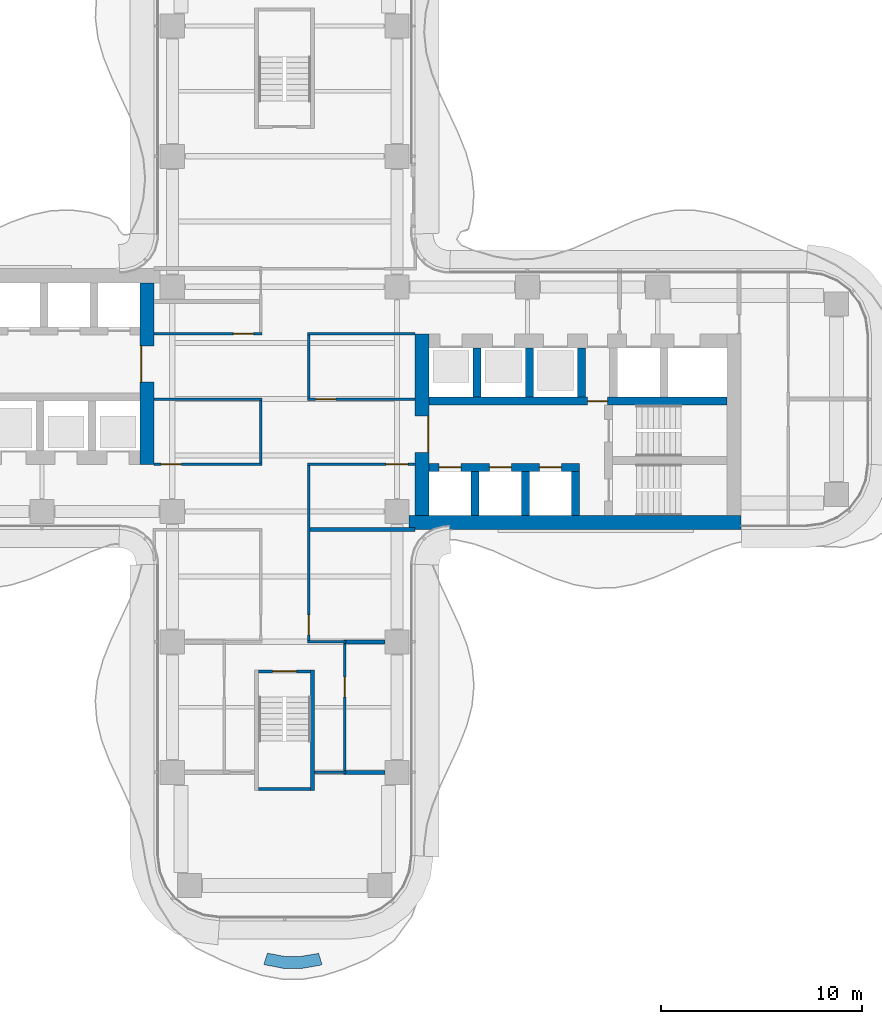
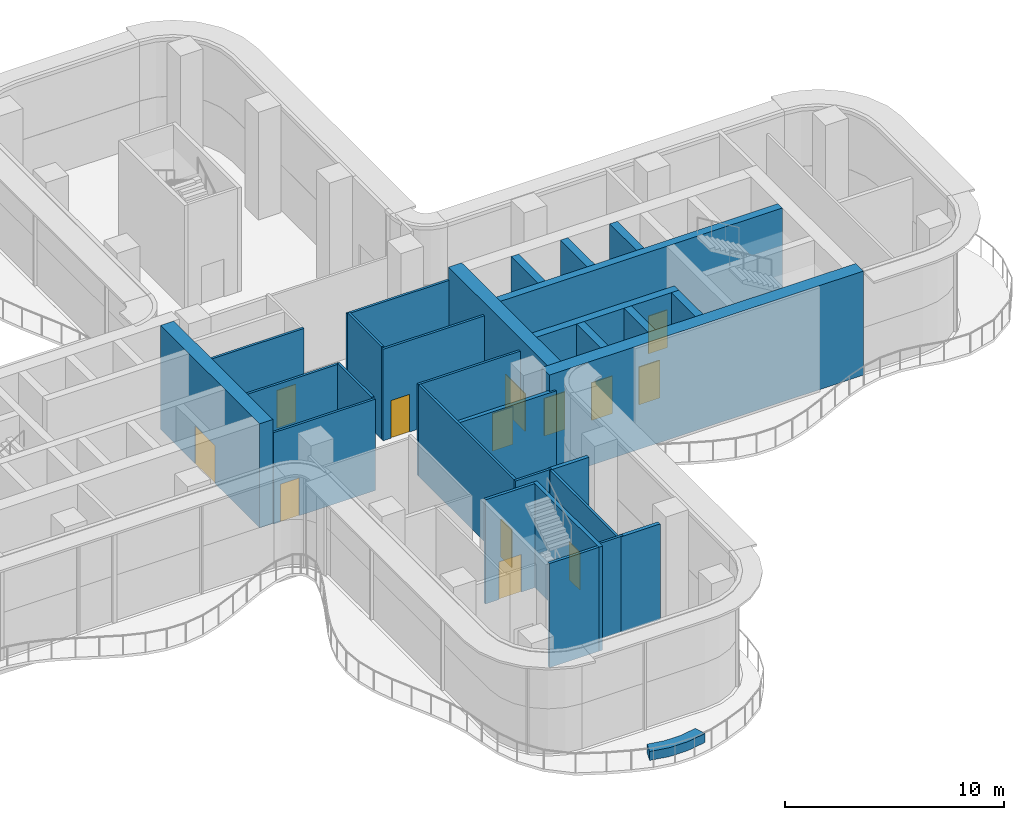
# One storey, part 13 of 19: 30 walls, 13 doors, 13 openings.
"""IFC4 building model written with IfcOpenShell, lengths in metres."""

from ifc_helpers import new_model, si_unit, direction, frame, frame_2d, origin, place, context, subcontext, project, spatial, polyline, rectangle, outline, extrude, source, transform, mapped, material, layer, layer_set, type_object, element, fill, save


model = new_model("IFC4")

# Units and contexts
model_context = context("Model", 3, precision=1e-05, world=origin(), true_north=direction((0.0, 1.0)))
body_context = subcontext(model_context, "Body", "Model", "MODEL_VIEW")
ifc_project = project(units=[si_unit("LENGTHUNIT", "METRE"), si_unit("AREAUNIT", "SQUARE_METRE"), si_unit("VOLUMEUNIT", "CUBIC_METRE"), si_unit("PLANEANGLEUNIT", "RADIAN"), si_unit("MASSUNIT", "GRAM", prefix="KILO")], contexts=[model_context])

# Site, building, storey
site_placement = place(None, origin())
site = spatial("IfcSite", under=ifc_project, at=site_placement, CompositionType="ELEMENT")
building_placement = place(site_placement, origin())
building = spatial("IfcBuilding", under=site, at=building_placement, Name="Trellis Farm Tower", CompositionType="ELEMENT")
storey_placement = place(building_placement, frame((0.0, 0.0, 156.0)))
storey = spatial("IfcBuildingStorey", under=building, at=storey_placement, Name="L33", CompositionType="ELEMENT", Elevation=156.0)

# Wall
ifc_material_1 = material(Name="Lightweight blockwork, plastered", Category="masonry")
ifc_layer_1 = layer(ifc_material_1, 0.199951171875)
ifc_layer_set_1 = layer_set([ifc_layer_1], Name="BLOCK WALL 200 EI 120")
wall_type_1 = type_object("IfcWallType", Name="BLOCK WALL 200 EI 120", PredefinedType="PARTITIONING", material=ifc_layer_set_1)
wall_1_placement = place(storey_placement, frame((1.262451171875, -6.5, 0.0), z_axis=(0.0, 0.0, 1.0), x_axis=(1.0, 0.0, 0.0)))
element("IfcWall", 1, at=wall_1_placement, inside=storey, type_object=wall_type_1, Name="Partition PW3", PredefinedType="PARTITIONING", context=body_context, shape_type="SweptSolid", body=[
    extrude(rectangle(XDim=5.237548828125, YDim=0.199951171875, at=frame_2d((2.61865234375, 0.0))), origin(), (0.0, 0.0, 1.0), 4.8798828125),
])

# Wall, opening, door
ifc_material_2 = material(Name="Plasterboard on steel studs, mineral wool", Category="steel")
ifc_layer_2 = layer(ifc_material_2, 0.125)
ifc_layer_set_2 = layer_set([ifc_layer_2], Name="PARTITION 125 STUD EI 60")
wall_type_2 = type_object("IfcWallType", Name="PARTITION 125 STUD EI 60", PredefinedType="PARTITIONING", material=ifc_layer_set_2)
wall_2_placement = place(storey_placement, frame((1.199951171875, -3.3125, 0.0), z_axis=(0.0, 0.0, 1.0), x_axis=(0.0, -1.0, 0.0)))
wall_2 = element("IfcWall", 2, at=wall_2_placement, inside=storey, type_object=wall_type_2, Name="Partition PW1", PredefinedType="PARTITIONING", context=body_context, shape_type="SweptSolid", body=[
    extrude(rectangle(XDim=8.72509765625, YDim=0.125, at=frame_2d((4.362548828125, 0.0))), origin(), (0.0, 0.0, 1.0), 5.0966796875),
])
shared_shape_1 = source(origin(), body_context, "Body", "SweptSolid", [
    extrude(rectangle(XDim=1.0, YDim=2.10009765625, at=frame_2d((0.5, 1.050048828125))), frame((0.0, 0.072509765625, 0.0), z_axis=(0.0, -1.0, 0.0), x_axis=(1.0, 0.0, 0.0)), (0.0, 0.0, 1.0), 0.14501953125),
])
opening_1_placement = place(wall_2_placement, frame((7.4375, 0.0, 0.0)))
opening_1 = element("IfcOpeningElement", 3, at=opening_1_placement, cuts=wall_2, Name="Opening D305", PredefinedType="OPENING", context=body_context, shape_type="MappedRepresentation", body=[
    mapped(shared_shape_1, transform((0.0, 0.0, 0.0))),
])
ifc_material_3 = material(Name="Fire-rated timber door leaf in a hollow metal frame", Category="wood")
door_type_1 = type_object("IfcDoorType", Name="DOOR 1000x2100 FD60", OperationType="NOTDEFINED", PredefinedType="DOOR", material=ifc_material_3)
shared_shape_2 = source(origin(), body_context, "Body", "SweptSolid", [
    extrude(rectangle(XDim=1.0, YDim=2.10009765625, at=frame_2d((0.5, 1.050048828125))), frame((0.0, 0.02490234375, 0.0), z_axis=(0.0, -1.0, 0.0), x_axis=(1.0, 0.0, 0.0)), (0.0, 0.0, 1.0), 0.050048828125),
])
door_1_placement = place(opening_1_placement, origin())
door_1 = element("IfcDoor", 4, at=door_1_placement, inside=storey, type_object=door_type_1, Name="Door D305", OperationType="SINGLE_SWING_RIGHT", OverallHeight=2.10009765625, OverallWidth=1.0, PredefinedType="DOOR", context=body_context, shape_type="MappedRepresentation", body=[
    mapped(shared_shape_2, transform((0.0, 0.0, 0.0))),
])
fill(opening_1, door_1)

# Wall
ifc_material_4 = material(Name="Sandstone faced masonry planter", Category="masonry")
ifc_layer_3 = layer(ifc_material_4, 0.60009765625)
ifc_layer_set_3 = layer_set([ifc_layer_3], Name="PLANTER BED 600")
wall_type_3 = type_object("IfcWallType", Name="PLANTER BED 600", PredefinedType="USERDEFINED", material=ifc_layer_set_3)
wall_3_placement = place(storey_placement, origin())
element("IfcWall", 5, at=wall_3_placement, inside=storey, type_object=wall_type_3, Name="PLANTER bed", ObjectType="PLANTER", PredefinedType="USERDEFINED", context=body_context, shape_type="SweptSolid", body=[
    extrude(outline(polyline([(0.839111328125, -28.379150390625), (-0.090576171875, -28.369384765625), (-1.0400390625, -28.184326171875), (-0.848388671875, -27.61572265625), (-0.03125, -27.77001953125), (0.791748046875, -27.77880859375), (1.6025390625, -27.641357421875), (1.686279296875, -27.614501953125), (1.8701171875, -28.185546875), (1.745361328125, -28.225830078125), (0.839111328125, -28.379150390625)])), origin(), (0.0, 0.0, 1.0), 0.5),
])

# Wall, opening, door
ifc_material_5 = material(Name="Concrete C70/85", Category="concrete")
ifc_layer_4 = layer(ifc_material_5, 0.699951171875)
ifc_layer_set_4 = layer_set([ifc_layer_4], Name="CORE OUTER WALL 700 CONCRETE C70/85")
wall_type_4 = type_object("IfcWallType", Name="CORE OUTER WALL 700 CONCRETE C70/85", PredefinedType="SHEAR", material=ifc_layer_set_4)
shared_shape_3 = source(origin(), body_context, "Body", "SweptSolid", [
    extrude(rectangle(XDim=9.050048828125, YDim=0.699951171875, at=frame_2d((4.52490234375, 0.0))), origin(), (0.0, 0.0, 1.0), 5.800048828125),
])
wall_4_placement = place(storey_placement, frame((6.85009765625, -5.800048828125, 0.0), z_axis=(0.0, 0.0, 1.0), x_axis=(0.0, 1.0, 0.0)))
wall_4 = element("IfcWall", 6, at=wall_4_placement, inside=storey, type_object=wall_type_4, Name="Core wall", PredefinedType="SHEAR", context=body_context, shape_type="MappedRepresentation", body=[
    mapped(shared_shape_3, transform((0.0, 0.0, 0.0))),
])
shared_shape_4 = source(origin(), body_context, "Body", "SweptSolid", [
    extrude(rectangle(XDim=1.800048828125, YDim=2.10009765625, at=frame_2d((0.89990234375, 1.050048828125))), frame((0.0, 0.360107421875, 0.0), z_axis=(0.0, -1.0, 0.0), x_axis=(1.0, 0.0, 0.0)), (0.0, 0.0, 1.0), 0.72021484375),
])
opening_2_placement = place(wall_4_placement, frame((3.14990234375, 0.0, 0.0)))
opening_2 = element("IfcOpeningElement", 7, at=opening_2_placement, cuts=wall_4, Name="Opening DC1", PredefinedType="OPENING", context=body_context, shape_type="MappedRepresentation", body=[
    mapped(shared_shape_4, transform((0.0, 0.0, 0.0))),
])
ifc_material_6 = material(Name="Steel", Category="steel")
door_type_2 = type_object("IfcDoorType", Name="CORE FIRE DOOR DOUBLE 1800 X 2100", OperationType="DOUBLE_DOOR_SINGLE_SWING", PredefinedType="DOOR", material=ifc_material_6)
shared_shape_5 = source(origin(), body_context, "Body", "SweptSolid", [
    extrude(rectangle(XDim=1.800048828125, YDim=2.10009765625, at=frame_2d((0.89990234375, 1.050048828125))), frame((0.0, -0.27490234375, 0.0), z_axis=(0.0, -1.0, 0.0), x_axis=(1.0, 0.0, 0.0)), (0.0, 0.0, 1.0), 0.050048828125),
])
door_2_placement = place(opening_2_placement, origin())
door_2 = element("IfcDoor", 8, at=door_2_placement, inside=storey, type_object=door_type_2, Name="Core door", OperationType="DOUBLE_DOOR_SINGLE_SWING", OverallHeight=2.10009765625, OverallWidth=1.800048828125, PredefinedType="DOOR", context=body_context, shape_type="MappedRepresentation", body=[
    mapped(shared_shape_5, transform((0.0, 0.0, 0.0))),
])
fill(opening_2, door_2)

wall_5_placement = place(storey_placement, frame((-6.85009765625, 5.800048828125, 0.0), z_axis=(0.0, 0.0, 1.0), x_axis=(0.0, -1.0, 0.0)))
wall_5 = element("IfcWall", 9, at=wall_5_placement, inside=storey, type_object=wall_type_4, Name="Core wall", PredefinedType="SHEAR", context=body_context, shape_type="MappedRepresentation", body=[
    mapped(shared_shape_3, transform((0.0, 0.0, 0.0))),
])
opening_3_placement = place(wall_5_placement, frame((3.14990234375, 0.0, 0.0)))
opening_3 = element("IfcOpeningElement", 10, at=opening_3_placement, cuts=wall_5, Name="Opening DC87", PredefinedType="OPENING", context=body_context, shape_type="MappedRepresentation", body=[
    mapped(shared_shape_4, transform((0.0, 0.0, 0.0))),
])
door_3_placement = place(opening_3_placement, origin())
door_3 = element("IfcDoor", 11, at=door_3_placement, inside=storey, type_object=door_type_2, Name="Core door", OperationType="DOUBLE_DOOR_SINGLE_SWING", OverallHeight=2.10009765625, OverallWidth=1.800048828125, PredefinedType="DOOR", context=body_context, shape_type="MappedRepresentation", body=[
    mapped(shared_shape_5, transform((0.0, 0.0, 0.0))),
])
fill(opening_3, door_3)

# Walls
ifc_layer_5 = layer(ifc_material_5, 0.39990234375)
ifc_layer_set_5 = layer_set([ifc_layer_5], Name="CORE INNER WALL 400 CONCRETE C70/85")
wall_type_5 = type_object("IfcWallType", Name="CORE INNER WALL 400 CONCRETE C70/85", PredefinedType="SHEAR", material=ifc_layer_set_5)
shared_shape_6 = source(origin(), body_context, "Body", "SweptSolid", [
    extrude(rectangle(XDim=2.199951171875, YDim=0.39990234375, at=frame_2d((1.10009765625, 0.0))), origin(), (0.0, 0.0, 1.0), 5.800048828125),
])
for number, where, z_axis, x_axis, name in (
    (12, (9.5, -5.800048828125, 0.0), (0.0, 0.0, 1.0), (0.0, 1.0, 0.0), "Core wall"),
    (13, (12.0, -5.800048828125, 0.0), (0.0, 0.0, 1.0), (0.0, 1.0, 0.0), "Core wall"),
    (14, (14.5, -5.800048828125, 0.0), (0.0, 0.0, 1.0), (0.0, 1.0, 0.0), "Core wall"),
):
    element("IfcWall", number, at=place(storey_placement, frame(where, z_axis=z_axis, x_axis=x_axis)), inside=storey, type_object=wall_type_5, Name=name, PredefinedType="SHEAR", context=body_context, shape_type="MappedRepresentation", body=[
        mapped(shared_shape_6, transform((0.0, 0.0, 0.0))),
    ])
shared_shape_7 = source(origin(), body_context, "Body", "SweptSolid", [
    extrude(rectangle(XDim=2.449951171875, YDim=0.39990234375, at=frame_2d((1.22509765625, 0.0))), origin(), (0.0, 0.0, 1.0), 5.800048828125),
])
for number, where, z_axis, x_axis, name in (
    (15, (9.60009765625, 0.10009765625, 0.0), (0.0, 0.0, 1.0), (0.0, 1.0, 0.0), "Core wall"),
    (16, (12.199951171875, 0.10009765625, 0.0), (0.0, 0.0, 1.0), (0.0, 1.0, 0.0), "Core wall"),
    (17, (14.800048828125, 0.10009765625, 0.0), (0.0, 0.0, 1.0), (0.0, 1.0, 0.0), "Core wall"),
):
    element("IfcWall", number, at=place(storey_placement, frame(where, z_axis=z_axis, x_axis=x_axis)), inside=storey, type_object=wall_type_5, Name=name, PredefinedType="SHEAR", context=body_context, shape_type="MappedRepresentation", body=[
        mapped(shared_shape_7, transform((0.0, 0.0, 0.0))),
    ])
shared_shape_8 = source(origin(), body_context, "Body", "SweptSolid", [
    extrude(rectangle(XDim=16.550048828125, YDim=0.699951171875, at=frame_2d((8.27490234375, 0.0))), origin(), (0.0, 0.0, 1.0), 5.800048828125),
])
wall_6_placement = place(storey_placement, frame((6.199951171875, -6.14990234375, 0.0), z_axis=(0.0, 0.0, 1.0), x_axis=(1.0, 0.0, 0.0)))
element("IfcWall", 18, at=wall_6_placement, inside=storey, type_object=wall_type_4, Name="Core wall", PredefinedType="SHEAR", context=body_context, shape_type="MappedRepresentation", body=[
    mapped(shared_shape_8, transform((0.0, 0.0, 0.0))),
])

# Wall, openings, doors
shared_shape_9 = source(origin(), body_context, "Body", "SweptSolid", [
    extrude(rectangle(XDim=7.5, YDim=0.39990234375, at=frame_2d((3.75, 0.0))), origin(), (0.0, 0.0, 1.0), 5.800048828125),
])
wall_7_placement = place(storey_placement, frame((7.199951171875, -3.39990234375, 0.0), z_axis=(0.0, 0.0, 1.0), x_axis=(1.0, 0.0, 0.0)))
wall_7 = element("IfcWall", 19, at=wall_7_placement, inside=storey, type_object=wall_type_5, Name="Core wall", PredefinedType="SHEAR", context=body_context, shape_type="MappedRepresentation", body=[
    mapped(shared_shape_9, transform((0.0, 0.0, 0.0))),
])
shared_shape_10 = source(origin(), body_context, "Body", "SweptSolid", [
    extrude(rectangle(XDim=1.10009765625, YDim=2.10009765625, at=frame_2d((0.550048828125, 1.050048828125))), frame((0.0, 0.2099609375, 0.0), z_axis=(0.0, -1.0, 0.0), x_axis=(1.0, 0.0, 0.0)), (0.0, 0.0, 1.0), 0.419921875),
])
opening_4_placement = place(wall_7_placement, frame((0.5, 0.0, 0.0)))
opening_4 = element("IfcOpeningElement", 20, at=opening_4_placement, cuts=wall_7, Name="Opening LD1", PredefinedType="OPENING", context=body_context, shape_type="MappedRepresentation", body=[
    mapped(shared_shape_10, transform((0.0, 0.0, 0.0))),
])
opening_5_placement = place(wall_7_placement, frame((3.0, 0.0, 0.0)))
opening_5 = element("IfcOpeningElement", 21, at=opening_5_placement, cuts=wall_7, Name="Opening LD2", PredefinedType="OPENING", context=body_context, shape_type="MappedRepresentation", body=[
    mapped(shared_shape_10, transform((0.0, 0.0, 0.0))),
])
opening_6_placement = place(wall_7_placement, frame((5.5, 0.0, 0.0)))
opening_6 = element("IfcOpeningElement", 22, at=opening_6_placement, cuts=wall_7, Name="Opening LD3", PredefinedType="OPENING", context=body_context, shape_type="MappedRepresentation", body=[
    mapped(shared_shape_10, transform((0.0, 0.0, 0.0))),
])
ifc_material_7 = material(Name="Stainless steel", Category="steel")
door_type_3 = type_object("IfcDoorType", Name="LIFT LANDING DOOR 1100 X 2100", OperationType="DOUBLE_DOOR_SLIDING", PredefinedType="DOOR", material=ifc_material_7)
shared_shape_11 = source(origin(), body_context, "Body", "SweptSolid", [
    extrude(rectangle(XDim=1.10009765625, YDim=2.10009765625, at=frame_2d((0.550048828125, 1.050048828125))), frame((0.0, 0.02490234375, 0.0), z_axis=(0.0, -1.0, 0.0), x_axis=(1.0, 0.0, 0.0)), (0.0, 0.0, 1.0), 0.050048828125),
])
door_4_placement = place(opening_4_placement, origin())
door_4 = element("IfcDoor", 23, at=door_4_placement, inside=storey, type_object=door_type_3, Name="Lift landing door", OperationType="DOUBLE_DOOR_SLIDING", OverallHeight=2.10009765625, OverallWidth=1.10009765625, PredefinedType="DOOR", context=body_context, shape_type="MappedRepresentation", body=[
    mapped(shared_shape_11, transform((0.0, 0.0, 0.0))),
])
fill(opening_4, door_4)
door_5_placement = place(opening_5_placement, origin())
door_5 = element("IfcDoor", 24, at=door_5_placement, inside=storey, type_object=door_type_3, Name="Lift landing door", OperationType="DOUBLE_DOOR_SLIDING", OverallHeight=2.10009765625, OverallWidth=1.10009765625, PredefinedType="DOOR", context=body_context, shape_type="MappedRepresentation", body=[
    mapped(shared_shape_11, transform((0.0, 0.0, 0.0))),
])
fill(opening_5, door_5)
door_6_placement = place(opening_6_placement, origin())
door_6 = element("IfcDoor", 25, at=door_6_placement, inside=storey, type_object=door_type_3, Name="Lift landing door", OperationType="DOUBLE_DOOR_SLIDING", OverallHeight=2.10009765625, OverallWidth=1.10009765625, PredefinedType="DOOR", context=body_context, shape_type="MappedRepresentation", body=[
    mapped(shared_shape_11, transform((0.0, 0.0, 0.0))),
])
fill(opening_6, door_6)

# Wall, opening, door
shared_shape_12 = source(origin(), body_context, "Body", "SweptSolid", [
    extrude(rectangle(XDim=14.85009765625, YDim=0.39990234375, at=frame_2d((7.425048828125, 0.0))), origin(), (0.0, 0.0, 1.0), 5.800048828125),
])
wall_8_placement = place(storey_placement, frame((7.199951171875, -0.10009765625, 0.0), z_axis=(0.0, 0.0, 1.0), x_axis=(1.0, 0.0, 0.0)))
wall_8 = element("IfcWall", 26, at=wall_8_placement, inside=storey, type_object=wall_type_5, Name="Core wall", PredefinedType="SHEAR", context=body_context, shape_type="MappedRepresentation", body=[
    mapped(shared_shape_12, transform((0.0, 0.0, 0.0))),
])
shared_shape_13 = source(origin(), body_context, "Body", "SweptSolid", [
    extrude(rectangle(XDim=1.0, YDim=2.10009765625, at=frame_2d((0.5, 1.050048828125))), frame((0.0, 0.2099609375, 0.0), z_axis=(0.0, -1.0, 0.0), x_axis=(1.0, 0.0, 0.0)), (0.0, 0.0, 1.0), 0.419921875),
])
opening_7_placement = place(wall_8_placement, frame((7.89990234375, 0.0, 0.0)))
opening_7 = element("IfcOpeningElement", 27, at=opening_7_placement, cuts=wall_8, Name="Opening DC5", PredefinedType="OPENING", context=body_context, shape_type="MappedRepresentation", body=[
    mapped(shared_shape_13, transform((0.0, 0.0, 0.0))),
])
door_type_4 = type_object("IfcDoorType", Name="CORE FIRE DOOR 1000 X 2100", OperationType="NOTDEFINED", PredefinedType="DOOR", material=ifc_material_6)
door_7_placement = place(opening_7_placement, origin())
door_7 = element("IfcDoor", 28, at=door_7_placement, inside=storey, type_object=door_type_4, Name="Core door", OperationType="SINGLE_SWING_RIGHT", OverallHeight=2.10009765625, OverallWidth=1.0, PredefinedType="DOOR", context=body_context, shape_type="MappedRepresentation", body=[
    mapped(shared_shape_2, transform((0.0, 0.0, 0.0))),
])
fill(opening_7, door_7)

# Wall
ifc_layer_6 = layer(ifc_material_5, 0.199951171875)
ifc_layer_set_6 = layer_set([ifc_layer_6], Name="CORE STAIR ENCLOSURE WALL 200 CONCRETE C70/85")
wall_type_6 = type_object("IfcWallType", Name="CORE STAIR ENCLOSURE WALL 200 CONCRETE C70/85", PredefinedType="SHEAR", material=ifc_layer_set_6)
shared_shape_14 = source(origin(), body_context, "Body", "SweptSolid", [
    extrude(rectangle(XDim=6.0, YDim=0.199951171875, at=frame_2d((3.0, 0.0))), origin(), (0.0, 0.0, 1.0), 5.800048828125),
])
wall_9_placement = place(storey_placement, frame((1.39990234375, -13.5, 0.0), z_axis=(0.0, 0.0, 1.0), x_axis=(0.0, -1.0, 0.0)))
element("IfcWall", 29, at=wall_9_placement, inside=storey, type_object=wall_type_6, Name="Stair enclosure wall", PredefinedType="SHEAR", context=body_context, shape_type="MappedRepresentation", body=[
    mapped(shared_shape_14, transform((0.0, 0.0, 0.0))),
])

# Wall, opening, door
ifc_layer_7 = layer(ifc_material_5, 0.14990234375)
ifc_layer_set_7 = layer_set([ifc_layer_7], Name="CORE STAIR ENCLOSURE WALL 150 CONCRETE C70/85")
wall_type_7 = type_object("IfcWallType", Name="CORE STAIR ENCLOSURE WALL 150 CONCRETE C70/85", PredefinedType="SHEAR", material=ifc_layer_set_7)
shared_shape_15 = source(origin(), body_context, "Body", "SweptSolid", [
    extrude(rectangle(XDim=2.60009765625, YDim=0.14990234375, at=frame_2d((1.300048828125, 0.0))), origin(), (0.0, 0.0, 1.0), 5.800048828125),
])
wall_10_placement = place(storey_placement, frame((1.300048828125, -13.574951171875, 0.0), z_axis=(0.0, 0.0, 1.0), x_axis=(-1.0, 0.0, 0.0)))
wall_10 = element("IfcWall", 30, at=wall_10_placement, inside=storey, type_object=wall_type_7, Name="Stair enclosure wall", PredefinedType="SHEAR", context=body_context, shape_type="MappedRepresentation", body=[
    mapped(shared_shape_15, transform((0.0, 0.0, 0.0))),
])
shared_shape_16 = source(origin(), body_context, "Body", "SweptSolid", [
    extrude(rectangle(XDim=1.199951171875, YDim=2.10009765625, at=frame_2d((0.60009765625, 1.050048828125))), frame((0.0, 0.0849609375, 0.0), z_axis=(0.0, -1.0, 0.0), x_axis=(1.0, 0.0, 0.0)), (0.0, 0.0, 1.0), 0.169921875),
])
opening_8_placement = place(wall_10_placement, frame((0.699951171875, 0.0, 0.0)))
opening_8 = element("IfcOpeningElement", 31, at=opening_8_placement, cuts=wall_10, Name="Opening DC174", PredefinedType="OPENING", context=body_context, shape_type="MappedRepresentation", body=[
    mapped(shared_shape_16, transform((0.0, 0.0, 0.0))),
])
door_type_5 = type_object("IfcDoorType", Name="CORE FIRE DOOR 1200 X 2100", OperationType="NOTDEFINED", PredefinedType="DOOR", material=ifc_material_6)
shared_shape_17 = source(origin(), body_context, "Body", "SweptSolid", [
    extrude(rectangle(XDim=1.199951171875, YDim=2.10009765625, at=frame_2d((0.60009765625, 1.050048828125))), frame((0.0, 0.02490234375, 0.0), z_axis=(0.0, -1.0, 0.0), x_axis=(1.0, 0.0, 0.0)), (0.0, 0.0, 1.0), 0.050048828125),
])
door_8_placement = place(opening_8_placement, origin())
door_8 = element("IfcDoor", 32, at=door_8_placement, inside=storey, type_object=door_type_5, Name="Core door", OperationType="SINGLE_SWING_RIGHT", OverallHeight=2.10009765625, OverallWidth=1.199951171875, PredefinedType="DOOR", context=body_context, shape_type="MappedRepresentation", body=[
    mapped(shared_shape_17, transform((0.0, 0.0, 0.0))),
])
fill(opening_8, door_8)

# Walls
wall_11_placement = place(storey_placement, frame((1.300048828125, -19.425048828125, 0.0), z_axis=(0.0, 0.0, 1.0), x_axis=(-1.0, 0.0, 0.0)))
element("IfcWall", 33, at=wall_11_placement, inside=storey, type_object=wall_type_7, Name="Stair enclosure wall", PredefinedType="SHEAR", context=body_context, shape_type="MappedRepresentation", body=[
    mapped(shared_shape_15, transform((0.0, 0.0, 0.0))),
])
shared_shape_18 = source(origin(), body_context, "Body", "SweptSolid", [
    extrude(rectangle(XDim=3.125, YDim=0.125, at=frame_2d((1.5625, 0.0))), origin(), (0.0, 0.0, 1.0), 5.167724609375),
])
for number, where, z_axis, x_axis, name in (
    (34, (-1.199951171875, -0.0625, 0.0), (0.0, 0.0, 1.0), (0.0, -1.0, 0.0), "Partition PW1"),
    (35, (1.199951171875, 3.1875, 0.0), (0.0, 0.0, 1.0), (0.0, -1.0, 0.0), "Partition PW1"),
):
    element("IfcWall", number, at=place(storey_placement, frame(where, z_axis=z_axis, x_axis=x_axis)), inside=storey, type_object=wall_type_2, Name=name, PredefinedType="PARTITIONING", context=body_context, shape_type="MappedRepresentation", body=[
        mapped(shared_shape_18, transform((0.0, 0.0, 0.0))),
    ])

# Wall, opening, door
shared_shape_19 = source(origin(), body_context, "Body", "SweptSolid", [
    extrude(rectangle(XDim=6.300048828125, YDim=0.125, at=frame_2d((3.14990234375, 0.0))), origin(), (0.0, 0.0, 1.0), 5.0966796875),
])
wall_12_placement = place(storey_placement, frame((3.0, -12.199951171875, 0.0), z_axis=(0.0, 0.0, 1.0), x_axis=(0.0, -1.0, 0.0)))
wall_12 = element("IfcWall", 36, at=wall_12_placement, inside=storey, type_object=wall_type_2, Name="Partition PW1", PredefinedType="PARTITIONING", context=body_context, shape_type="MappedRepresentation", body=[
    mapped(shared_shape_19, transform((0.0, 0.0, 0.0))),
])
opening_9_placement = place(wall_12_placement, frame((1.64990234375, 0.0, 0.0)))
opening_9 = element("IfcOpeningElement", 37, at=opening_9_placement, cuts=wall_12, Name="Opening D303", PredefinedType="OPENING", context=body_context, shape_type="MappedRepresentation", body=[
    mapped(shared_shape_1, transform((0.0, 0.0, 0.0))),
])
door_9_placement = place(opening_9_placement, origin())
door_9 = element("IfcDoor", 38, at=door_9_placement, inside=storey, type_object=door_type_1, Name="Door D303", OperationType="SINGLE_SWING_LEFT", OverallHeight=2.10009765625, OverallWidth=1.0, PredefinedType="DOOR", context=body_context, shape_type="MappedRepresentation", body=[
    mapped(shared_shape_2, transform((0.0, 0.0, 0.0))),
])
fill(opening_9, door_9)

# Walls
shared_shape_20 = source(origin(), body_context, "Body", "SweptSolid", [
    extrude(rectangle(XDim=2.0625, YDim=0.199951171875, at=frame_2d((1.03125, 0.0))), origin(), (0.0, 0.0, 1.0), 5.322998046875),
])
wall_13_placement = place(storey_placement, frame((2.9375, -18.60009765625, 0.0), z_axis=(0.0, 0.0, 1.0), x_axis=(1.0, 0.0, 0.0)))
element("IfcWall", 39, at=wall_13_placement, inside=storey, type_object=wall_type_1, Name="Partition PW3", PredefinedType="PARTITIONING", context=body_context, shape_type="MappedRepresentation", body=[
    mapped(shared_shape_20, transform((0.0, 0.0, 0.0))),
])
shared_shape_21 = source(origin(), body_context, "Body", "SweptSolid", [
    extrude(rectangle(XDim=1.5625, YDim=0.125, at=frame_2d((0.78125, 0.0))), origin(), (0.0, 0.0, 1.0), 5.322998046875),
])
wall_14_placement = place(storey_placement, frame((3.0625, -18.60009765625, 0.0), z_axis=(0.0, 0.0, 1.0), x_axis=(-1.0, 0.0, 0.0)))
element("IfcWall", 40, at=wall_14_placement, inside=storey, type_object=wall_type_2, Name="Partition PW1", PredefinedType="PARTITIONING", context=body_context, shape_type="MappedRepresentation", body=[
    mapped(shared_shape_21, transform((0.0, 0.0, 0.0))),
])
shared_shape_22 = source(origin(), body_context, "Body", "SweptSolid", [
    extrude(rectangle(XDim=2.0625, YDim=0.199951171875, at=frame_2d((1.03125, 0.0))), origin(), (0.0, 0.0, 1.0), 5.0966796875),
])
wall_15_placement = place(storey_placement, frame((2.9375, -12.10009765625, 0.0), z_axis=(0.0, 0.0, 1.0), x_axis=(1.0, 0.0, 0.0)))
element("IfcWall", 41, at=wall_15_placement, inside=storey, type_object=wall_type_1, Name="Partition PW3", PredefinedType="PARTITIONING", context=body_context, shape_type="MappedRepresentation", body=[
    mapped(shared_shape_22, transform((0.0, 0.0, 0.0))),
])
shared_shape_23 = source(origin(), body_context, "Body", "SweptSolid", [
    extrude(rectangle(XDim=1.925048828125, YDim=0.125, at=frame_2d((0.96240234375, 0.0))), origin(), (0.0, 0.0, 1.0), 5.0966796875),
])
wall_16_placement = place(storey_placement, frame((1.137451171875, -12.10009765625, 0.0), z_axis=(0.0, 0.0, 1.0), x_axis=(1.0, 0.0, 0.0)))
element("IfcWall", 42, at=wall_16_placement, inside=storey, type_object=wall_type_2, Name="Partition PW1", PredefinedType="PARTITIONING", context=body_context, shape_type="MappedRepresentation", body=[
    mapped(shared_shape_23, transform((0.0, 0.0, 0.0))),
])

# Wall, opening, door
shared_shape_24 = source(origin(), body_context, "Body", "SweptSolid", [
    extrude(rectangle(XDim=5.362548828125, YDim=0.125, at=frame_2d((2.68115234375, 0.0))), origin(), (0.0, 0.0, 1.0), 5.0966796875),
])
wall_17_placement = place(storey_placement, frame((-1.137451171875, -3.25, 0.0), z_axis=(0.0, 0.0, 1.0), x_axis=(-1.0, 0.0, 0.0)))
wall_17 = element("IfcWall", 43, at=wall_17_placement, inside=storey, type_object=wall_type_2, Name="Partition PW1", PredefinedType="PARTITIONING", context=body_context, shape_type="MappedRepresentation", body=[
    mapped(shared_shape_24, transform((0.0, 0.0, 0.0))),
])
opening_10_placement = place(wall_17_placement, frame((4.012451171875, 0.0, 0.0)))
opening_10 = element("IfcOpeningElement", 44, at=opening_10_placement, cuts=wall_17, Name="Opening D101", PredefinedType="OPENING", context=body_context, shape_type="MappedRepresentation", body=[
    mapped(shared_shape_1, transform((0.0, 0.0, 0.0))),
])
door_type_6 = type_object("IfcDoorType", Name="DOOR 1000x2100 FD30S", OperationType="NOTDEFINED", PredefinedType="DOOR", material=ifc_material_3)
door_10_placement = place(opening_10_placement, origin())
door_10 = element("IfcDoor", 45, at=door_10_placement, inside=storey, type_object=door_type_6, Name="Door D101", OperationType="SINGLE_SWING_RIGHT", OverallHeight=2.10009765625, OverallWidth=1.0, PredefinedType="DOOR", context=body_context, shape_type="MappedRepresentation", body=[
    mapped(shared_shape_2, transform((0.0, 0.0, 0.0))),
])
fill(opening_10, door_10)

wall_18_placement = place(storey_placement, frame((6.5, -3.25, 0.0), z_axis=(0.0, 0.0, 1.0), x_axis=(-1.0, 0.0, 0.0)))
wall_18 = element("IfcWall", 46, at=wall_18_placement, inside=storey, type_object=wall_type_2, Name="Partition PW1", PredefinedType="PARTITIONING", context=body_context, shape_type="MappedRepresentation", body=[
    mapped(shared_shape_24, transform((0.0, 0.0, 0.0))),
])
shared_shape_25 = source(origin(), body_context, "Body", "SweptSolid", [
    extrude(rectangle(XDim=1.10009765625, YDim=2.10009765625, at=frame_2d((0.550048828125, 1.050048828125))), frame((0.0, 0.072509765625, 0.0), z_axis=(0.0, -1.0, 0.0), x_axis=(1.0, 0.0, 0.0)), (0.0, 0.0, 1.0), 0.14501953125),
])
opening_11_placement = place(wall_18_placement, frame((0.35009765625, 0.0, 0.0)))
opening_11 = element("IfcOpeningElement", 47, at=opening_11_placement, cuts=wall_18, Name="Opening D501", PredefinedType="OPENING", context=body_context, shape_type="MappedRepresentation", body=[
    mapped(shared_shape_25, transform((0.0, 0.0, 0.0))),
])
door_type_7 = type_object("IfcDoorType", Name="DOOR 1100x2100 FD30S", OperationType="NOTDEFINED", PredefinedType="DOOR", material=ifc_material_3)
door_11_placement = place(opening_11_placement, origin())
door_11 = element("IfcDoor", 48, at=door_11_placement, inside=storey, type_object=door_type_7, Name="Door D501", OperationType="SINGLE_SWING_LEFT", OverallHeight=2.10009765625, OverallWidth=1.10009765625, PredefinedType="DOOR", context=body_context, shape_type="MappedRepresentation", body=[
    mapped(shared_shape_11, transform((0.0, 0.0, 0.0))),
])
fill(opening_11, door_11)

# Wall
wall_19_placement = place(storey_placement, frame((-1.137451171875, 0.0, 0.0), z_axis=(0.0, 0.0, 1.0), x_axis=(-1.0, 0.0, 0.0)))
element("IfcWall", 49, at=wall_19_placement, inside=storey, type_object=wall_type_2, Name="Partition PW1", PredefinedType="PARTITIONING", context=body_context, shape_type="MappedRepresentation", body=[
    mapped(shared_shape_24, transform((0.0, 0.0, 0.0))),
])

# Wall, opening, door
wall_20_placement = place(storey_placement, frame((6.5, 0.0, 0.0), z_axis=(0.0, 0.0, 1.0), x_axis=(-1.0, 0.0, 0.0)))
wall_20 = element("IfcWall", 50, at=wall_20_placement, inside=storey, type_object=wall_type_2, Name="Partition PW1", PredefinedType="PARTITIONING", context=body_context, shape_type="MappedRepresentation", body=[
    mapped(shared_shape_24, transform((0.0, 0.0, 0.0))),
])
opening_12_placement = place(wall_20_placement, frame((3.949951171875, 0.0, 0.0)))
opening_12 = element("IfcOpeningElement", 51, at=opening_12_placement, cuts=wall_20, Name="Opening D102", PredefinedType="OPENING", context=body_context, shape_type="MappedRepresentation", body=[
    mapped(shared_shape_1, transform((0.0, 0.0, 0.0))),
])
door_12_placement = place(opening_12_placement, origin())
door_12 = element("IfcDoor", 52, at=door_12_placement, inside=storey, type_object=door_type_6, Name="Door D102", OperationType="SINGLE_SWING_RIGHT", OverallHeight=2.10009765625, OverallWidth=1.0, PredefinedType="DOOR", context=body_context, shape_type="MappedRepresentation", body=[
    mapped(shared_shape_2, transform((0.0, 0.0, 0.0))),
])
fill(opening_12, door_12)

wall_21_placement = place(storey_placement, frame((-6.5, 3.25, 0.0), z_axis=(0.0, 0.0, 1.0), x_axis=(1.0, 0.0, 0.0)))
wall_21 = element("IfcWall", 53, at=wall_21_placement, inside=storey, type_object=wall_type_2, Name="Partition PW1", PredefinedType="PARTITIONING", context=body_context, shape_type="MappedRepresentation", body=[
    mapped(shared_shape_24, transform((0.0, 0.0, 0.0))),
])
opening_13_placement = place(wall_21_placement, frame((3.949951171875, 0.0, 0.0)))
opening_13 = element("IfcOpeningElement", 54, at=opening_13_placement, cuts=wall_21, Name="Opening D308", PredefinedType="OPENING", context=body_context, shape_type="MappedRepresentation", body=[
    mapped(shared_shape_1, transform((0.0, 0.0, 0.0))),
])
door_13_placement = place(opening_13_placement, origin())
door_13 = element("IfcDoor", 55, at=door_13_placement, inside=storey, type_object=door_type_1, Name="Door D308", OperationType="SINGLE_SWING_RIGHT", OverallHeight=2.10009765625, OverallWidth=1.0, PredefinedType="DOOR", context=body_context, shape_type="MappedRepresentation", body=[
    mapped(shared_shape_2, transform((0.0, 0.0, 0.0))),
])
fill(opening_13, door_13)

# Wall
wall_22_placement = place(storey_placement, frame((1.137451171875, 3.25, 0.0), z_axis=(0.0, 0.0, 1.0), x_axis=(1.0, 0.0, 0.0)))
element("IfcWall", 56, at=wall_22_placement, inside=storey, type_object=wall_type_2, Name="Partition PW1", PredefinedType="PARTITIONING", context=body_context, shape_type="MappedRepresentation", body=[
    mapped(shared_shape_24, transform((0.0, 0.0, 0.0))),
])

save(model, "model.ifc")
